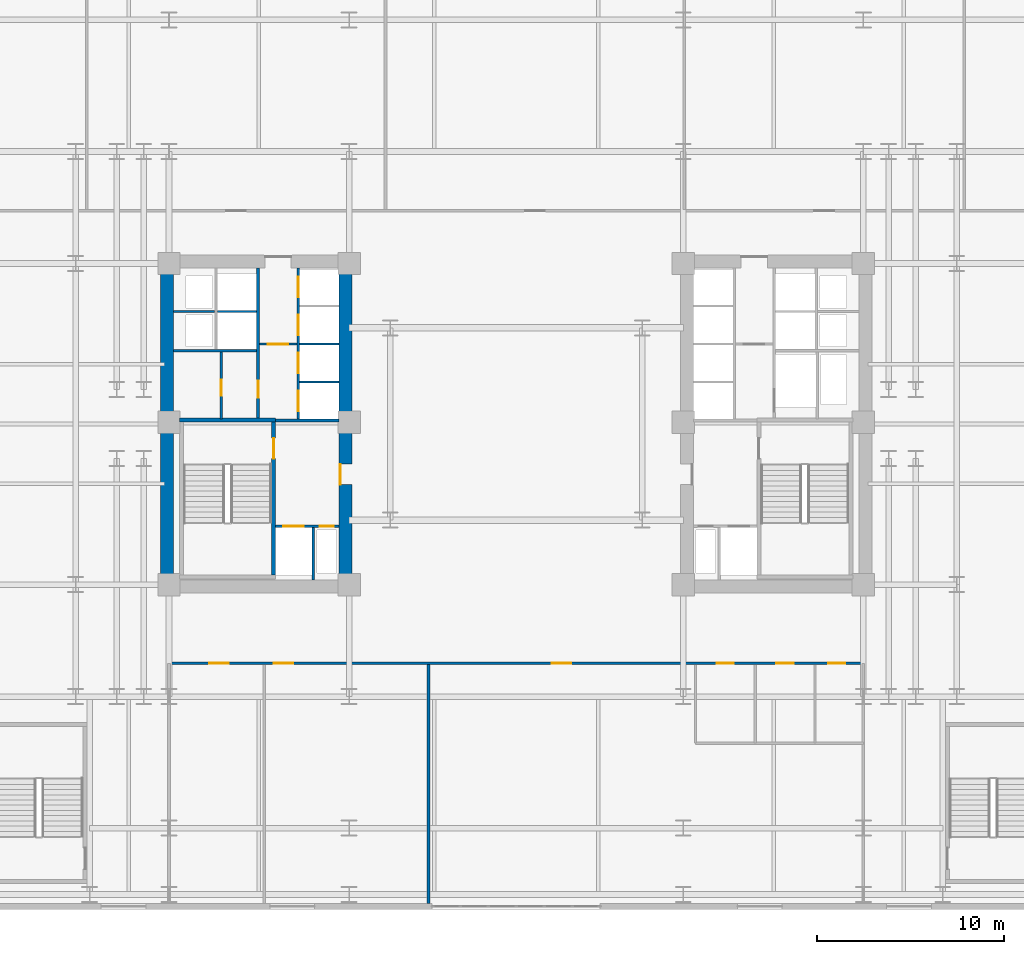
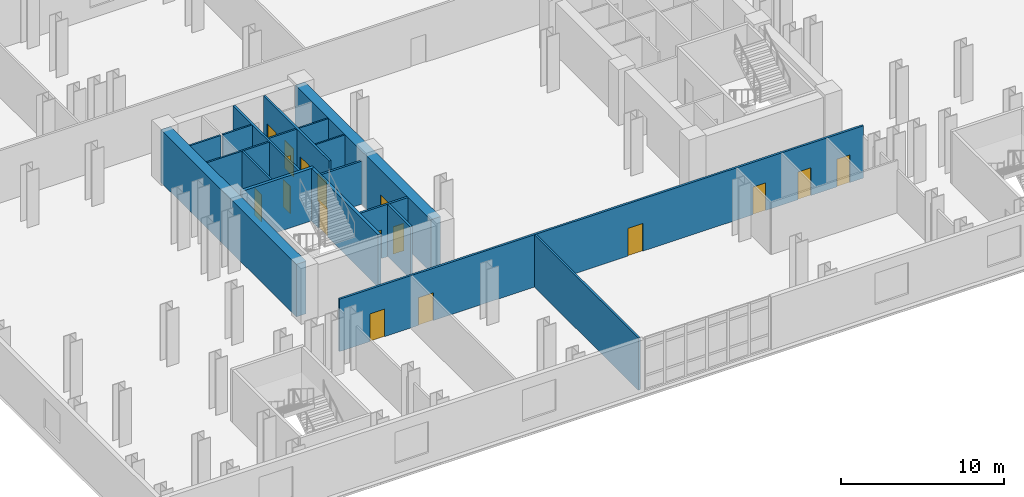
# One storey, part 8 of 13: 18 walls, 17 doors, 17 openings.
"""IFC4 building model written with IfcOpenShell, lengths in metres."""

from ifc_helpers import new_model, si_unit, direction, frame, frame_2d, origin, place, context, subcontext, project, spatial, rectangle, extrude, material, layer, layer_set, type_object, element, fill, save


model = new_model("IFC4")

# Units and contexts
model_context = context("Model", 3, precision=1e-05, world=origin(), true_north=direction((0.0, 1.0)))
body_context = subcontext(model_context, "Body", "Model", "MODEL_VIEW")
ifc_project = project(units=[si_unit("LENGTHUNIT", "METRE"), si_unit("AREAUNIT", "SQUARE_METRE"), si_unit("VOLUMEUNIT", "CUBIC_METRE"), si_unit("PLANEANGLEUNIT", "RADIAN"), si_unit("MASSUNIT", "GRAM", prefix="KILO")], contexts=[model_context])

# Site, building, storey
site_placement = place(None, origin())
site = spatial("IfcSite", under=ifc_project, at=site_placement, CompositionType="ELEMENT")
building_placement = place(site_placement, origin())
building = spatial("IfcBuilding", under=site, at=building_placement, Name="Velakula Bourse", CompositionType="ELEMENT")
storey_placement = place(building_placement, frame((0.0, 0.0, 18.60009765625)))
storey = spatial("IfcBuildingStorey", under=building, at=storey_placement, Name="L04", CompositionType="ELEMENT", Elevation=18.60009765625)

# Wall, opening, door
ifc_material_1 = material(Name="Concrete M50 (fck 50 MPa)", Category="concrete")
ifc_layer_1 = layer(ifc_material_1, 0.2099609375, Name="Concrete M50 (fck 50 MPa)", Category="concrete")
ifc_layer_set_1 = layer_set([ifc_layer_1], Name="Concrete M50 (fck 50 MPa)")
wall_type_1 = type_object("IfcWallType", Name="WL-CORE-210", PredefinedType="SHEAR", material=ifc_layer_set_1)
wall_1_placement = place(storey_placement, frame((-12.9951171875, -8.10009765625, 0.0), z_axis=(0.0, 0.0, 1.0), x_axis=(0.0, 1.0, 0.0)))
wall_1 = element("IfcWall", 1, at=wall_1_placement, inside=storey, type_object=wall_type_1, Name="L04 Core W Stairwell Shear Wall IN", PredefinedType="SHEAR", context=body_context, shape_type="SweptSolid", body=[
    extrude(rectangle(XDim=8.2001953125, YDim=0.2099609375, at=frame_2d((4.10009765625, 0.0))), origin(), (0.0, 0.0, 1.0), 3.949951171875),
])
opening_1_placement = place(wall_1_placement, frame((6.25, 0.0, 0.0)))
opening_1 = element("IfcOpeningElement", 2, at=opening_1_placement, cuts=wall_1, Name="Opening D-STW1", PredefinedType="OPENING", context=body_context, shape_type="SweptSolid", body=[
    extrude(rectangle(XDim=1.10009765625, YDim=2.14990234375, at=frame_2d((0.550048828125, 1.074951171875))), frame((0.0, 0.114990234375, 0.0), z_axis=(0.0, -1.0, 0.0), x_axis=(1.0, 0.0, 0.0)), (0.0, 0.0, 1.0), 0.22998046875),
])
ifc_material_2 = material(Name="Galvanised painted hollow steel fire door", Category="steel")
door_type_1 = type_object("IfcDoorType", Name="DR-FD120-1100x2150", OperationType="NOTDEFINED", PredefinedType="DOOR", material=ifc_material_2)
door_1_placement = place(opening_1_placement, origin())
door_1 = element("IfcDoor", 3, at=door_1_placement, inside=storey, type_object=door_type_1, Name="L04 Stair ST-W1 Fire Door", OperationType="SINGLE_SWING_LEFT", OverallHeight=2.14990234375, OverallWidth=1.10009765625, PredefinedType="DOOR", context=body_context, shape_type="SweptSolid", body=[
    extrude(rectangle(XDim=1.10009765625, YDim=2.14990234375, at=frame_2d((0.550048828125, 1.074951171875))), frame((0.0, 0.02490234375, 0.0), z_axis=(0.0, -1.0, 0.0), x_axis=(1.0, 0.0, 0.0)), (0.0, 0.0, 1.0), 0.050048828125),
])
fill(opening_1, door_1)

# Walls
wall_2_placement = place(storey_placement, frame((-12.889892578125, 0.205078125, 0.0), z_axis=(0.0, 0.0, 1.0), x_axis=(-1.0, 0.0, 0.0)))
element("IfcWall", 4, at=wall_2_placement, inside=storey, type_object=wall_type_1, Name="L04 Core W Stairwell Shear Wall N", PredefinedType="SHEAR", context=body_context, shape_type="SweptSolid", body=[
    extrude(rectangle(XDim=5.14013671875, YDim=0.2099609375, at=frame_2d((2.570068359375, 0.0))), origin(), (0.0, 0.0, 1.0), 3.949951171875),
])
ifc_material_3 = material(Name="Concrete M70 (fck 70 MPa)", Category="concrete")
ifc_layer_2 = layer(ifc_material_3, 0.699951171875, Name="Concrete M70 (fck 70 MPa)", Category="concrete")
ifc_layer_set_2 = layer_set([ifc_layer_2], Name="Concrete M70 (fck 70 MPa)")
wall_type_2 = type_object("IfcWallType", Name="WL-CORE-700", PredefinedType="SHEAR", material=ifc_layer_set_2)
wall_3_placement = place(storey_placement, frame((-18.699951171875, -8.35009765625, 0.0), z_axis=(0.0, 0.0, 1.0), x_axis=(0.0, 1.0, 0.0)))
element("IfcWall", 5, at=wall_3_placement, inside=storey, type_object=wall_type_2, Name="L04 Core W Shear Wall W", PredefinedType="SHEAR", context=body_context, shape_type="SweptSolid", body=[
    extrude(rectangle(XDim=16.7001953125, YDim=0.699951171875, at=frame_2d((8.35009765625, 0.0))), origin(), (0.0, 0.0, 1.0), 3.949951171875),
])

# Wall, opening, door
wall_4_placement = place(storey_placement, frame((-9.14990234375, -8.35009765625, 0.0), z_axis=(0.0, 0.0, 1.0), x_axis=(0.0, 1.0, 0.0)))
wall_4 = element("IfcWall", 6, at=wall_4_placement, inside=storey, type_object=wall_type_2, Name="L04 Core W Shear Wall E", PredefinedType="SHEAR", context=body_context, shape_type="SweptSolid", body=[
    extrude(rectangle(XDim=16.7001953125, YDim=0.699951171875, at=frame_2d((8.35009765625, 0.0))), origin(), (0.0, 0.0, 1.0), 3.949951171875),
])
opening_2_placement = place(wall_4_placement, frame((5.10009765625, 0.0, 0.0)))
opening_2 = element("IfcOpeningElement", 7, at=opening_2_placement, cuts=wall_4, Name="Opening D-FLW", PredefinedType="OPENING", context=body_context, shape_type="SweptSolid", body=[
    extrude(rectangle(XDim=1.10009765625, YDim=2.080078125, at=frame_2d((0.550048828125, 1.0400390625))), frame((0.0, 0.35986328125, 0.0), z_axis=(0.0, -1.0, 0.0), x_axis=(1.0, 0.0, 0.0)), (0.0, 0.0, 1.0), 0.719970703125),
])
door_type_2 = type_object("IfcDoorType", Name="DR-FD120-1100", OperationType="NOTDEFINED", PredefinedType="DOOR", material=ifc_material_2)
door_2_placement = place(opening_2_placement, origin())
door_2 = element("IfcDoor", 8, at=door_2_placement, inside=storey, type_object=door_type_2, Name="L04 Firefighting Lobby W Corridor Fire Door", OperationType="SINGLE_SWING_LEFT", OverallHeight=2.080078125, OverallWidth=1.10009765625, PredefinedType="DOOR", context=body_context, shape_type="SweptSolid", body=[
    extrude(rectangle(XDim=1.10009765625, YDim=2.080078125, at=frame_2d((0.550048828125, 1.0400390625))), frame((0.0, 0.30517578125, 0.0), z_axis=(0.0, -1.0, 0.0), x_axis=(1.0, 0.0, 0.0)), (0.0, 0.0, 1.0), 0.050048828125),
])
fill(opening_2, door_2)

ifc_material_4 = material(Name="Fire-rated double-layer gypsum drywall partition", Category="gypsum")
ifc_layer_3 = layer(ifc_material_4, 0.1201171875, Name="Fire-rated double-layer gypsum drywall partition", Category="gypsum")
ifc_layer_set_3 = layer_set([ifc_layer_3], Name="Fire-rated double-layer gypsum drywall partition")
wall_type_3 = type_object("IfcWallType", Name="WL-PART-120", PredefinedType="STANDARD", material=ifc_layer_set_3)
wall_5_placement = place(storey_placement, frame((-13.75, 4.280029296875, 0.0), z_axis=(0.0, 0.0, 1.0), x_axis=(1.0, 0.0, 0.0)))
wall_5 = element("IfcWall", 9, at=wall_5_placement, inside=storey, type_object=wall_type_3, Name="L04 Interior Partition WL-CRW-L04-LL-K2", PredefinedType="STANDARD", context=body_context, shape_type="SweptSolid", body=[
    extrude(rectangle(XDim=2.0, YDim=0.1201171875, at=frame_2d((1.0, 0.0))), origin(), (0.0, 0.0, 1.0), 3.929931640625),
])
opening_3_placement = place(wall_5_placement, frame((0.449951171875, 0.0, 0.0)))
opening_3 = element("IfcOpeningElement", 10, at=opening_3_placement, cuts=wall_5, Name="Opening D-LK2", PredefinedType="OPENING", context=body_context, shape_type="SweptSolid", body=[
    extrude(rectangle(XDim=1.10009765625, YDim=2.10009765625, at=frame_2d((0.550048828125, 1.050048828125))), frame((0.0, 0.070068359375, 0.0), z_axis=(0.0, -1.0, 0.0), x_axis=(1.0, 0.0, 0.0)), (0.0, 0.0, 1.0), 0.14013671875),
])
ifc_material_5 = material(Name="Fire-rated hardwood flush architectural door", Category="wood")
door_type_3 = type_object("IfcDoorType", Name="DR-FD60-1100x2100", OperationType="NOTDEFINED", PredefinedType="DOOR", material=ifc_material_5)
door_3_placement = place(opening_3_placement, origin())
door_3 = element("IfcDoor", 11, at=door_3_placement, inside=storey, type_object=door_type_3, Name="L04 Core W Lift Lobby Zone Door", OperationType="SINGLE_SWING_RIGHT", OverallHeight=2.10009765625, OverallWidth=1.10009765625, PredefinedType="DOOR", context=body_context, shape_type="SweptSolid", body=[
    extrude(rectangle(XDim=1.10009765625, YDim=2.10009765625, at=frame_2d((0.550048828125, 1.050048828125))), frame((0.0, 0.02490234375, 0.0), z_axis=(0.0, -1.0, 0.0), x_axis=(1.0, 0.0, 0.0)), (0.0, 0.0, 1.0), 0.050048828125),
])
fill(opening_3, door_3)

# Walls
for number, where, z_axis, x_axis, name in (
    (12, (-11.60009765625, 2.2548828125, 0.0), (0.0, 0.0, 1.0), (1.0, 0.0, 0.0), "L04 Interior Partition WL-CRW-L04-BDIV-0"),
    (13, (-11.60009765625, 4.284912109375, 0.0), (0.0, 0.0, 1.0), (1.0, 0.0, 0.0), "L04 Interior Partition WL-CRW-L04-BDIV-1"),
):
    element("IfcWall", number, at=place(storey_placement, frame(where, z_axis=z_axis, x_axis=x_axis)), inside=storey, type_object=wall_type_3, Name=name, PredefinedType="STANDARD", context=body_context, shape_type="SweptSolid", body=[
        extrude(rectangle(XDim=2.10009765625, YDim=0.110107421875, at=frame_2d((1.050048828125, 0.0))), origin(), (0.0, 0.0, 1.0), 3.929931640625),
    ])
wall_6_placement = place(storey_placement, frame((-18.35009765625, 3.919921875, 0.0), z_axis=(0.0, 0.0, 1.0), x_axis=(1.0, 0.0, 0.0)))
element("IfcWall", 14, at=wall_6_placement, inside=storey, type_object=wall_type_3, Name="L04 Interior Partition WL-CRW-L04-HI-S", PredefinedType="STANDARD", context=body_context, shape_type="SweptSolid", body=[
    extrude(rectangle(XDim=4.4501953125, YDim=0.1201171875, at=frame_2d((2.22509765625, 0.0))), origin(), (0.0, 0.0, 1.0), 3.929931640625),
])
wall_7_placement = place(storey_placement, frame((-18.35009765625, 6.030029296875, 0.0), z_axis=(0.0, 0.0, 1.0), x_axis=(1.0, 0.0, 0.0)))
element("IfcWall", 15, at=wall_7_placement, inside=storey, type_object=wall_type_3, Name="L04 Interior Partition WL-CRW-L04-RIS-MID", PredefinedType="STANDARD", context=body_context, shape_type="SweptSolid", body=[
    extrude(rectangle(XDim=2.2001953125, YDim=0.1201171875, at=frame_2d((1.10009765625, 0.0))), origin(), (0.0, 0.0, 1.0), 3.929931640625),
])
wall_8_placement = place(storey_placement, frame((-16.0, 6.030029296875, 0.0), z_axis=(0.0, 0.0, 1.0), x_axis=(1.0, 0.0, 0.0)))
element("IfcWall", 16, at=wall_8_placement, inside=storey, type_object=wall_type_3, Name="L04 Interior Partition WL-CRW-L04-HI-DIV", PredefinedType="STANDARD", context=body_context, shape_type="SweptSolid", body=[
    extrude(rectangle(XDim=2.10009765625, YDim=0.1201171875, at=frame_2d((1.050048828125, 0.0))), origin(), (0.0, 0.0, 1.0), 3.929931640625),
])

# Wall, opening, door
wall_9_placement = place(storey_placement, frame((-15.800048828125, 0.27001953125, 0.0), z_axis=(0.0, 0.0, 1.0), x_axis=(0.0, 1.0, 0.0)))
wall_9 = element("IfcWall", 17, at=wall_9_placement, inside=storey, type_object=wall_type_3, Name="L04 Interior Partition WL-CRW-L04-K2", PredefinedType="STANDARD", context=body_context, shape_type="SweptSolid", body=[
    extrude(rectangle(XDim=3.590087890625, YDim=0.1201171875, at=frame_2d((1.794921875, 0.0))), origin(), (0.0, 0.0, 1.0), 3.929931640625),
])
opening_4_placement = place(wall_9_placement, frame((1.25, 0.0, 0.0)))
opening_4 = element("IfcOpeningElement", 18, at=opening_4_placement, cuts=wall_9, Name="Opening D-CE1", PredefinedType="OPENING", context=body_context, shape_type="SweptSolid", body=[
    extrude(rectangle(XDim=0.85009765625, YDim=2.050048828125, at=frame_2d((0.425048828125, 1.02490234375))), frame((0.0, 0.070068359375, 0.0), z_axis=(0.0, -1.0, 0.0), x_axis=(1.0, 0.0, 0.0)), (0.0, 0.0, 1.0), 0.14013671875),
])
door_type_4 = type_object("IfcDoorType", Name="DR-INT-850", OperationType="NOTDEFINED", PredefinedType="DOOR", material=ifc_material_5)
door_4_placement = place(opening_4_placement, origin())
door_4 = element("IfcDoor", 19, at=door_4_placement, inside=storey, type_object=door_type_4, Name="L04 Core Equipment Store Door", OperationType="SINGLE_SWING_RIGHT", OverallHeight=2.050048828125, OverallWidth=0.85009765625, PredefinedType="DOOR", context=body_context, shape_type="SweptSolid", body=[
    extrude(rectangle(XDim=0.85009765625, YDim=2.050048828125, at=frame_2d((0.425048828125, 1.02490234375))), frame((0.0, 0.02490234375, 0.0), z_axis=(0.0, -1.0, 0.0), x_axis=(1.0, 0.0, 0.0)), (0.0, 0.0, 1.0), 0.050048828125),
])
fill(opening_4, door_4)

# Wall, openings, doors
ifc_layer_4 = layer(ifc_material_4, 0.139892578125, Name="Fire-rated double-layer gypsum drywall partition", Category="gypsum")
ifc_layer_set_4 = layer_set([ifc_layer_4], Name="Fire-rated double-layer gypsum drywall partition")
wall_type_4 = type_object("IfcWallType", Name="WL-PART-140", PredefinedType="STANDARD", material=ifc_layer_set_4)
wall_10_placement = place(storey_placement, frame((-18.60009765625, -12.820068359375, 0.0), z_axis=(0.0, 0.0, 1.0), x_axis=(1.0, 0.0, 0.0)))
wall_10 = element("IfcWall", 20, at=wall_10_placement, inside=storey, type_object=wall_type_4, Name="L04 Interior Partition WL-POD-L04-S-CORR", PredefinedType="STANDARD", context=body_context, shape_type="SweptSolid", body=[
    extrude(rectangle(XDim=37.2001953125, YDim=0.14990234375, at=frame_2d((18.60009765625, 0.0))), origin(), (0.0, 0.0, 1.0), 3.929931640625),
])
opening_5_placement = place(wall_10_placement, frame((29.340087890625, 0.0, 0.0)))
opening_5 = element("IfcOpeningElement", 21, at=opening_5_placement, cuts=wall_10, Name="Opening D-WT1", PredefinedType="OPENING", context=body_context, shape_type="SweptSolid", body=[
    extrude(rectangle(XDim=0.919921875, YDim=2.080078125, at=frame_2d((0.4599609375, 1.0400390625))), frame((0.0, 0.0849609375, 0.0), z_axis=(0.0, -1.0, 0.0), x_axis=(1.0, 0.0, 0.0)), (0.0, 0.0, 1.0), 0.169921875),
])
opening_6_placement = place(wall_10_placement, frame((32.5400390625, 0.0, 0.0)))
opening_6 = element("IfcOpeningElement", 22, at=opening_6_placement, cuts=wall_10, Name="Opening D-WT1", PredefinedType="OPENING", context=body_context, shape_type="SweptSolid", body=[
    extrude(rectangle(XDim=0.919921875, YDim=2.080078125, at=frame_2d((0.4599609375, 1.0400390625))), frame((0.0, 0.0849609375, 0.0), z_axis=(0.0, -1.0, 0.0), x_axis=(1.0, 0.0, 0.0)), (0.0, 0.0, 1.0), 0.169921875),
])
opening_7_placement = place(wall_10_placement, frame((35.31396484375, 0.0, 0.0)))
opening_7 = element("IfcOpeningElement", 23, at=opening_7_placement, cuts=wall_10, Name="Opening D-WC1", PredefinedType="OPENING", context=body_context, shape_type="SweptSolid", body=[
    extrude(rectangle(XDim=0.919921875, YDim=2.080078125, at=frame_2d((0.4599609375, 1.0400390625))), frame((0.0, 0.0849609375, 0.0), z_axis=(0.0, -1.0, 0.0), x_axis=(1.0, 0.0, 0.0)), (0.0, 0.0, 1.0), 0.169921875),
])
opening_8_placement = place(wall_10_placement, frame((2.15087890625, 0.0, 0.0)))
opening_8 = element("IfcOpeningElement", 24, at=opening_8_placement, cuts=wall_10, Name="Opening D-PD2", PredefinedType="OPENING", context=body_context, shape_type="SweptSolid", body=[
    extrude(rectangle(XDim=1.050048828125, YDim=2.080078125, at=frame_2d((0.52490234375, 1.0400390625))), frame((0.0, 0.0849609375, 0.0), z_axis=(0.0, -1.0, 0.0), x_axis=(1.0, 0.0, 0.0)), (0.0, 0.0, 1.0), 0.169921875),
])
opening_9_placement = place(wall_10_placement, frame((5.60302734375, 0.0, 0.0)))
opening_9 = element("IfcOpeningElement", 25, at=opening_9_placement, cuts=wall_10, Name="Opening D-PD2", PredefinedType="OPENING", context=body_context, shape_type="SweptSolid", body=[
    extrude(rectangle(XDim=1.050048828125, YDim=2.080078125, at=frame_2d((0.52490234375, 1.0400390625))), frame((0.0, 0.0849609375, 0.0), z_axis=(0.0, -1.0, 0.0), x_axis=(1.0, 0.0, 0.0)), (0.0, 0.0, 1.0), 0.169921875),
])
opening_10_placement = place(wall_10_placement, frame((20.4951171875, 0.0, 0.0)))
opening_10 = element("IfcOpeningElement", 26, at=opening_10_placement, cuts=wall_10, Name="Opening D-PD2", PredefinedType="OPENING", context=body_context, shape_type="SweptSolid", body=[
    extrude(rectangle(XDim=1.050048828125, YDim=2.080078125, at=frame_2d((0.52490234375, 1.0400390625))), frame((0.0, 0.0849609375, 0.0), z_axis=(0.0, -1.0, 0.0), x_axis=(1.0, 0.0, 0.0)), (0.0, 0.0, 1.0), 0.169921875),
])
door_type_5 = type_object("IfcDoorType", Name="DR-OFF-1050", OperationType="NOTDEFINED", PredefinedType="DOOR", material=ifc_material_5)
door_5_placement = place(opening_8_placement, origin())
door_5 = element("IfcDoor", 27, at=door_5_placement, inside=storey, type_object=door_type_5, Name="L04 Training Classroom Door", OperationType="SINGLE_SWING_LEFT", OverallHeight=2.080078125, OverallWidth=1.050048828125, PredefinedType="DOOR", context=body_context, shape_type="SweptSolid", body=[
    extrude(rectangle(XDim=1.050048828125, YDim=2.080078125, at=frame_2d((0.52490234375, 1.0400390625))), frame((0.0, 0.02490234375, 0.0), z_axis=(0.0, -1.0, 0.0), x_axis=(1.0, 0.0, 0.0)), (0.0, 0.0, 1.0), 0.050048828125),
])
fill(opening_8, door_5)
door_6_placement = place(opening_9_placement, origin())
door_6 = element("IfcDoor", 28, at=door_6_placement, inside=storey, type_object=door_type_5, Name="L04 Seminar Room D Door", OperationType="SINGLE_SWING_RIGHT", OverallHeight=2.080078125, OverallWidth=1.050048828125, PredefinedType="DOOR", context=body_context, shape_type="SweptSolid", body=[
    extrude(rectangle(XDim=1.050048828125, YDim=2.080078125, at=frame_2d((0.52490234375, 1.0400390625))), frame((0.0, 0.02490234375, 0.0), z_axis=(0.0, -1.0, 0.0), x_axis=(1.0, 0.0, 0.0)), (0.0, 0.0, 1.0), 0.050048828125),
])
fill(opening_9, door_6)
door_7_placement = place(opening_10_placement, origin())
door_7 = element("IfcDoor", 29, at=door_7_placement, inside=storey, type_object=door_type_5, Name="L04 Conference Administration Office Door", OperationType="SINGLE_SWING_LEFT", OverallHeight=2.080078125, OverallWidth=1.050048828125, PredefinedType="DOOR", context=body_context, shape_type="SweptSolid", body=[
    extrude(rectangle(XDim=1.050048828125, YDim=2.080078125, at=frame_2d((0.52490234375, 1.0400390625))), frame((0.0, 0.02490234375, 0.0), z_axis=(0.0, -1.0, 0.0), x_axis=(1.0, 0.0, 0.0)), (0.0, 0.0, 1.0), 0.050048828125),
])
fill(opening_10, door_7)
door_type_6 = type_object("IfcDoorType", Name="DR-WC-950", OperationType="NOTDEFINED", PredefinedType="DOOR", material=ifc_material_5)
door_8_placement = place(opening_5_placement, origin())
door_8 = element("IfcDoor", 30, at=door_8_placement, inside=storey, type_object=door_type_6, Name="L04 Male Public Toilet Door", OperationType="SINGLE_SWING_RIGHT", OverallHeight=2.080078125, OverallWidth=0.919921875, PredefinedType="DOOR", context=body_context, shape_type="SweptSolid", body=[
    extrude(rectangle(XDim=0.919921875, YDim=2.080078125, at=frame_2d((0.4599609375, 1.0400390625))), frame((0.0, 0.02490234375, 0.0), z_axis=(0.0, -1.0, 0.0), x_axis=(1.0, 0.0, 0.0)), (0.0, 0.0, 1.0), 0.050048828125),
])
fill(opening_5, door_8)
door_9_placement = place(opening_6_placement, origin())
door_9 = element("IfcDoor", 31, at=door_9_placement, inside=storey, type_object=door_type_6, Name="L04 Female Public Toilet Door", OperationType="SINGLE_SWING_LEFT", OverallHeight=2.080078125, OverallWidth=0.919921875, PredefinedType="DOOR", context=body_context, shape_type="SweptSolid", body=[
    extrude(rectangle(XDim=0.919921875, YDim=2.080078125, at=frame_2d((0.4599609375, 1.0400390625))), frame((0.0, 0.02490234375, 0.0), z_axis=(0.0, -1.0, 0.0), x_axis=(1.0, 0.0, 0.0)), (0.0, 0.0, 1.0), 0.050048828125),
])
fill(opening_6, door_9)
door_10_placement = place(opening_7_placement, origin())
door_10 = element("IfcDoor", 32, at=door_10_placement, inside=storey, type_object=door_type_6, Name="L04 Accessible WC Door", OperationType="SINGLE_SWING_RIGHT", OverallHeight=2.080078125, OverallWidth=0.919921875, PredefinedType="DOOR", context=body_context, shape_type="SweptSolid", body=[
    extrude(rectangle(XDim=0.919921875, YDim=2.080078125, at=frame_2d((0.4599609375, 1.0400390625))), frame((0.0, 0.02490234375, 0.0), z_axis=(0.0, -1.0, 0.0), x_axis=(1.0, 0.0, 0.0)), (0.0, 0.0, 1.0), 0.050048828125),
])
fill(opening_7, door_10)

# Wall
wall_11_placement = place(storey_placement, frame((-4.699951171875, -25.679931640625, 0.0), z_axis=(0.0, 0.0, 1.0), x_axis=(0.0, 1.0, 0.0)))
element("IfcWall", 33, at=wall_11_placement, inside=storey, type_object=wall_type_4, Name="L04 Interior Partition WL-POD-L04-SD2", PredefinedType="STANDARD", context=body_context, shape_type="SweptSolid", body=[
    extrude(rectangle(XDim=12.7900390625, YDim=0.139892578125, at=frame_2d((6.39501953125, 0.0))), origin(), (0.0, 0.0, 1.0), 3.929931640625),
])

# Wall, openings, doors
ifc_material_6 = material(Name="Autoclaved aerated concrete blockwork masonry", Category="masonry")
ifc_layer_5 = layer(ifc_material_6, 0.14990234375, Name="Autoclaved aerated concrete blockwork masonry", Category="masonry")
ifc_layer_set_5 = layer_set([ifc_layer_5], Name="Autoclaved aerated concrete blockwork masonry")
wall_type_5 = type_object("IfcWallType", Name="WL-SHAFT-150", PredefinedType="STANDARD", material=ifc_layer_set_5)
wall_12_placement = place(storey_placement, frame((-12.89501953125, -5.47509765625, 0.0), z_axis=(0.0, 0.0, 1.0), x_axis=(1.0, 0.0, 0.0)))
wall_12 = element("IfcWall", 34, at=wall_12_placement, inside=storey, type_object=wall_type_5, Name="L04 Interior Partition WL-CRW-L04-FFL-N", PredefinedType="STANDARD", context=body_context, shape_type="SweptSolid", body=[
    extrude(rectangle(XDim=3.39501953125, YDim=0.14990234375, at=frame_2d((1.697509765625, 0.0))), origin(), (0.0, 0.0, 1.0), 3.929931640625),
])
opening_11_placement = place(wall_12_placement, frame((0.419921875, 0.0, 0.0)))
opening_11 = element("IfcOpeningElement", 35, at=opening_11_placement, cuts=wall_12, Name="Opening LD-FFL-1", PredefinedType="OPENING", context=body_context, shape_type="SweptSolid", body=[
    extrude(rectangle(XDim=1.10009765625, YDim=2.14990234375, at=frame_2d((0.550048828125, 1.074951171875))), frame((0.0, 0.0849609375, 0.0), z_axis=(0.0, -1.0, 0.0), x_axis=(1.0, 0.0, 0.0)), (0.0, 0.0, 1.0), 0.169921875),
])
opening_12_placement = place(wall_12_placement, frame((2.3701171875, 0.0, 0.0)))
opening_12 = element("IfcOpeningElement", 36, at=opening_12_placement, cuts=wall_12, Name="Opening D-RS1", PredefinedType="OPENING", context=body_context, shape_type="SweptSolid", body=[
    extrude(rectangle(XDim=0.75, YDim=2.050048828125, at=frame_2d((0.375, 1.02490234375))), frame((0.0, 0.0849609375, 0.0), z_axis=(0.0, -1.0, 0.0), x_axis=(1.0, 0.0, 0.0)), (0.0, 0.0, 1.0), 0.169921875),
])
door_type_7 = type_object("IfcDoorType", Name="DR-RISER-800", OperationType="NOTDEFINED", PredefinedType="DOOR", material=ifc_material_2)
door_11_placement = place(opening_12_placement, origin())
door_11 = element("IfcDoor", 37, at=door_11_placement, inside=storey, type_object=door_type_7, Name="L04 Fire Riser Access Door", OperationType="SINGLE_SWING_LEFT", OverallHeight=2.050048828125, OverallWidth=0.75, PredefinedType="DOOR", context=body_context, shape_type="SweptSolid", body=[
    extrude(rectangle(XDim=0.75, YDim=2.050048828125, at=frame_2d((0.375, 1.02490234375))), frame((0.0, 0.02490234375, 0.0), z_axis=(0.0, -1.0, 0.0), x_axis=(1.0, 0.0, 0.0)), (0.0, 0.0, 1.0), 0.050048828125),
])
fill(opening_12, door_11)
ifc_material_7 = material(Name="Brushed grade 316 stainless steel", Category="steel")
door_type_8 = type_object("IfcDoorType", Name="DR-SLIDE-FFL-1100", OperationType="DOUBLE_DOOR_SLIDING", PredefinedType="DOOR", material=ifc_material_7)
door_12_placement = place(opening_11_placement, origin())
door_12 = element("IfcDoor", 38, at=door_12_placement, inside=storey, type_object=door_type_8, Name="L04 Firefighting Lift FFL-1 Sliding Landing Door", OperationType="DOUBLE_DOOR_SLIDING", OverallHeight=2.14990234375, OverallWidth=1.10009765625, PredefinedType="DOOR", context=body_context, shape_type="SweptSolid", body=[
    extrude(rectangle(XDim=1.10009765625, YDim=2.14990234375, at=frame_2d((0.550048828125, 1.074951171875))), frame((0.0, 0.02490234375, 0.0), z_axis=(0.0, -1.0, 0.0), x_axis=(1.0, 0.0, 0.0)), (0.0, 0.0, 1.0), 0.050048828125),
])
fill(opening_11, door_12)

# Walls
wall_13_placement = place(storey_placement, frame((-10.875, -8.35009765625, 0.0), z_axis=(0.0, 0.0, 1.0), x_axis=(0.0, 1.0, 0.0)))
element("IfcWall", 39, at=wall_13_placement, inside=storey, type_object=wall_type_5, Name="L04 Interior Partition WL-CRW-L04-FR-DIV", PredefinedType="STANDARD", context=body_context, shape_type="SweptSolid", body=[
    extrude(rectangle(XDim=2.800048828125, YDim=0.14990234375, at=frame_2d((1.39990234375, 0.0))), origin(), (0.0, 0.0, 1.0), 3.929931640625),
])
wall_14_placement = place(storey_placement, frame((-12.889892578125, 0.18994140625, 0.0), z_axis=(0.0, 0.0, 1.0), x_axis=(1.0, 0.0, 0.0)))
element("IfcWall", 40, at=wall_14_placement, inside=storey, type_object=wall_type_5, Name="L04 Interior Partition WL-CRW-L04-FF-TOP", PredefinedType="STANDARD", context=body_context, shape_type="SweptSolid", body=[
    extrude(rectangle(XDim=3.389892578125, YDim=0.14990234375, at=frame_2d((1.69482421875, 0.0))), origin(), (0.0, 0.0, 1.0), 3.224853515625),
])

# Wall, openings, doors
wall_15_placement = place(storey_placement, frame((-11.675048828125, 0.27001953125, 0.0), z_axis=(0.0, 0.0, 1.0), x_axis=(0.0, 1.0, 0.0)))
wall_15 = element("IfcWall", 41, at=wall_15_placement, inside=storey, type_object=wall_type_5, Name="L04 Interior Partition WL-CRW-L04-BANK-F", PredefinedType="STANDARD", context=body_context, shape_type="SweptSolid", body=[
    extrude(rectangle(XDim=8.080078125, YDim=0.14990234375, at=frame_2d((4.0400390625, 0.0))), origin(), (0.0, 0.0, 1.0), 3.929931640625),
])
opening_13_placement = place(wall_15_placement, frame((0.419921875, 0.0, 0.0)))
opening_13 = element("IfcOpeningElement", 42, at=opening_13_placement, cuts=wall_15, Name="Opening LD-P1", PredefinedType="OPENING", context=body_context, shape_type="SweptSolid", body=[
    extrude(rectangle(XDim=1.10009765625, YDim=2.10009765625, at=frame_2d((0.550048828125, 1.050048828125))), frame((0.0, 0.0849609375, 0.0), z_axis=(0.0, -1.0, 0.0), x_axis=(1.0, 0.0, 0.0)), (0.0, 0.0, 1.0), 0.169921875),
])
opening_14_placement = place(wall_15_placement, frame((2.449951171875, 0.0, 0.0)))
opening_14 = element("IfcOpeningElement", 43, at=opening_14_placement, cuts=wall_15, Name="Opening LD-P2", PredefinedType="OPENING", context=body_context, shape_type="SweptSolid", body=[
    extrude(rectangle(XDim=1.10009765625, YDim=2.10009765625, at=frame_2d((0.550048828125, 1.050048828125))), frame((0.0, 0.0849609375, 0.0), z_axis=(0.0, -1.0, 0.0), x_axis=(1.0, 0.0, 0.0)), (0.0, 0.0, 1.0), 0.169921875),
])
opening_15_placement = place(wall_15_placement, frame((4.47998046875, 0.0, 0.0)))
opening_15 = element("IfcOpeningElement", 44, at=opening_15_placement, cuts=wall_15, Name="Opening LD-P3", PredefinedType="OPENING", context=body_context, shape_type="SweptSolid", body=[
    extrude(rectangle(XDim=1.10009765625, YDim=2.10009765625, at=frame_2d((0.550048828125, 1.050048828125))), frame((0.0, 0.0849609375, 0.0), z_axis=(0.0, -1.0, 0.0), x_axis=(1.0, 0.0, 0.0)), (0.0, 0.0, 1.0), 0.169921875),
])
opening_16_placement = place(wall_15_placement, frame((6.510009765625, 0.0, 0.0)))
opening_16 = element("IfcOpeningElement", 45, at=opening_16_placement, cuts=wall_15, Name="Opening LD-P4", PredefinedType="OPENING", context=body_context, shape_type="SweptSolid", body=[
    extrude(rectangle(XDim=1.10009765625, YDim=2.10009765625, at=frame_2d((0.550048828125, 1.050048828125))), frame((0.0, 0.0849609375, 0.0), z_axis=(0.0, -1.0, 0.0), x_axis=(1.0, 0.0, 0.0)), (0.0, 0.0, 1.0), 0.169921875),
])
door_type_9 = type_object("IfcDoorType", Name="DR-SLIDE-LD-1100", OperationType="DOUBLE_DOOR_SLIDING", PredefinedType="DOOR", material=ifc_material_7)
door_13_placement = place(opening_13_placement, origin())
door_13 = element("IfcDoor", 46, at=door_13_placement, inside=storey, type_object=door_type_9, Name="L04 Passenger Lift P1 Sliding Landing Door", OperationType="DOUBLE_DOOR_SLIDING", OverallHeight=2.10009765625, OverallWidth=1.10009765625, PredefinedType="DOOR", context=body_context, shape_type="SweptSolid", body=[
    extrude(rectangle(XDim=1.10009765625, YDim=2.10009765625, at=frame_2d((0.550048828125, 1.050048828125))), frame((0.0, 0.02490234375, 0.0), z_axis=(0.0, -1.0, 0.0), x_axis=(1.0, 0.0, 0.0)), (0.0, 0.0, 1.0), 0.050048828125),
])
fill(opening_13, door_13)
door_14_placement = place(opening_14_placement, origin())
door_14 = element("IfcDoor", 47, at=door_14_placement, inside=storey, type_object=door_type_9, Name="L04 Passenger Lift P2 Sliding Landing Door", OperationType="DOUBLE_DOOR_SLIDING", OverallHeight=2.10009765625, OverallWidth=1.10009765625, PredefinedType="DOOR", context=body_context, shape_type="SweptSolid", body=[
    extrude(rectangle(XDim=1.10009765625, YDim=2.10009765625, at=frame_2d((0.550048828125, 1.050048828125))), frame((0.0, 0.02490234375, 0.0), z_axis=(0.0, -1.0, 0.0), x_axis=(1.0, 0.0, 0.0)), (0.0, 0.0, 1.0), 0.050048828125),
])
fill(opening_14, door_14)
door_15_placement = place(opening_15_placement, origin())
door_15 = element("IfcDoor", 48, at=door_15_placement, inside=storey, type_object=door_type_9, Name="L04 Passenger Lift P3 Sliding Landing Door", OperationType="DOUBLE_DOOR_SLIDING", OverallHeight=2.10009765625, OverallWidth=1.10009765625, PredefinedType="DOOR", context=body_context, shape_type="SweptSolid", body=[
    extrude(rectangle(XDim=1.10009765625, YDim=2.10009765625, at=frame_2d((0.550048828125, 1.050048828125))), frame((0.0, 0.02490234375, 0.0), z_axis=(0.0, -1.0, 0.0), x_axis=(1.0, 0.0, 0.0)), (0.0, 0.0, 1.0), 0.050048828125),
])
fill(opening_15, door_15)
door_16_placement = place(opening_16_placement, origin())
door_16 = element("IfcDoor", 49, at=door_16_placement, inside=storey, type_object=door_type_9, Name="L04 Passenger Lift P4 Sliding Landing Door", OperationType="DOUBLE_DOOR_SLIDING", OverallHeight=2.10009765625, OverallWidth=1.10009765625, PredefinedType="DOOR", context=body_context, shape_type="SweptSolid", body=[
    extrude(rectangle(XDim=1.10009765625, YDim=2.10009765625, at=frame_2d((0.550048828125, 1.050048828125))), frame((0.0, 0.02490234375, 0.0), z_axis=(0.0, -1.0, 0.0), x_axis=(1.0, 0.0, 0.0)), (0.0, 0.0, 1.0), 0.050048828125),
])
fill(opening_16, door_16)

# Wall, opening, door
wall_16_placement = place(storey_placement, frame((-13.824951171875, 0.27001953125, 0.0), z_axis=(0.0, 0.0, 1.0), x_axis=(0.0, 1.0, 0.0)))
wall_16 = element("IfcWall", 50, at=wall_16_placement, inside=storey, type_object=wall_type_5, Name="L04 Interior Partition WL-CRW-L04-OUT-F", PredefinedType="STANDARD", context=body_context, shape_type="SweptSolid", body=[
    extrude(rectangle(XDim=8.080078125, YDim=0.14990234375, at=frame_2d((4.0400390625, 0.0))), origin(), (0.0, 0.0, 1.0), 3.929931640625),
])
opening_17_placement = place(wall_16_placement, frame((1.14990234375, 0.0, 0.0)))
opening_17 = element("IfcOpeningElement", 51, at=opening_17_placement, cuts=wall_16, Name="Opening D-CP1", PredefinedType="OPENING", context=body_context, shape_type="SweptSolid", body=[
    extrude(rectangle(XDim=0.89990234375, YDim=2.050048828125, at=frame_2d((0.449951171875, 1.02490234375))), frame((0.0, 0.0849609375, 0.0), z_axis=(0.0, -1.0, 0.0), x_axis=(1.0, 0.0, 0.0)), (0.0, 0.0, 1.0), 0.169921875),
])
door_type_10 = type_object("IfcDoorType", Name="DR-INT-900", OperationType="NOTDEFINED", PredefinedType="DOOR", material=ifc_material_5)
door_17_placement = place(opening_17_placement, origin())
door_17 = element("IfcDoor", 52, at=door_17_placement, inside=storey, type_object=door_type_10, Name="L04 Core Tea Pantry Door", OperationType="SINGLE_SWING_LEFT", OverallHeight=2.050048828125, OverallWidth=0.89990234375, PredefinedType="DOOR", context=body_context, shape_type="SweptSolid", body=[
    extrude(rectangle(XDim=0.89990234375, YDim=2.050048828125, at=frame_2d((0.449951171875, 1.02490234375))), frame((0.0, 0.02490234375, 0.0), z_axis=(0.0, -1.0, 0.0), x_axis=(1.0, 0.0, 0.0)), (0.0, 0.0, 1.0), 0.050048828125),
])
fill(opening_17, door_17)

save(model, "model.ifc")
